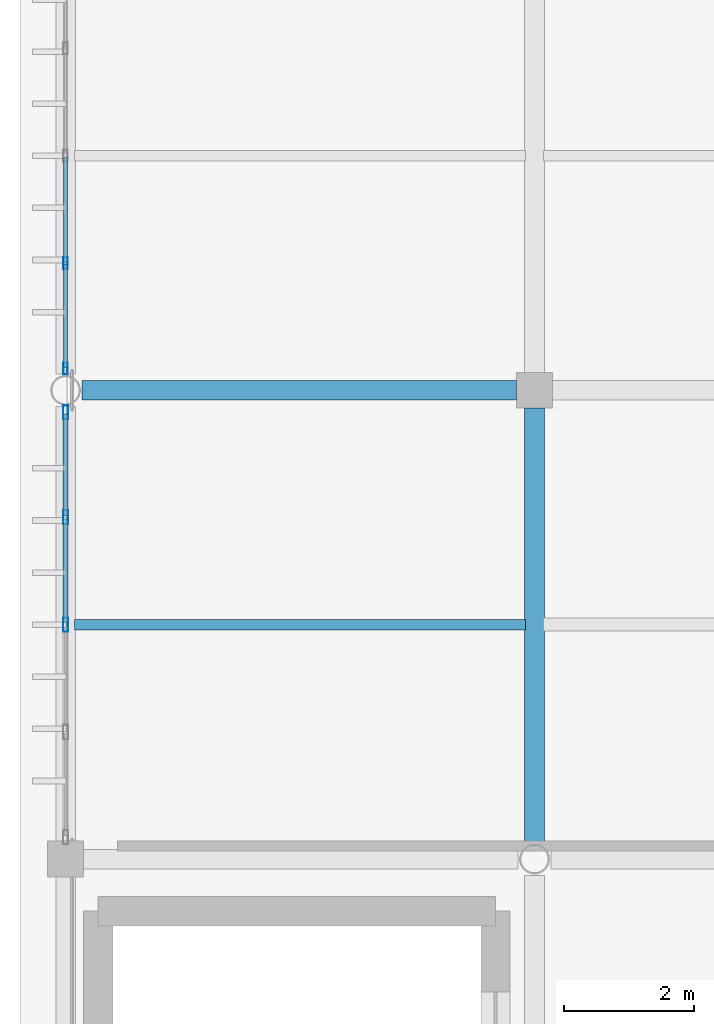
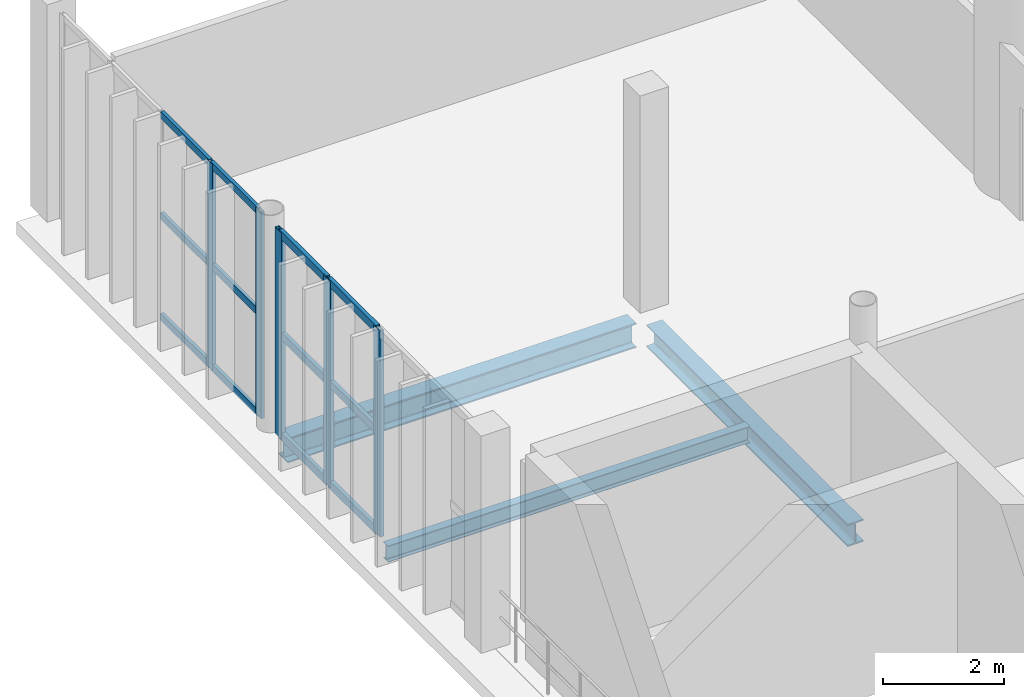
# One storey, part 38 of 81: 17 members, 3 beams, 2 elements without a shape of their own.
"""IFC4 building model written with IfcOpenShell, lengths in metres."""

from ifc_helpers import new_model, si_unit, direction, frame, origin, origin_2d, place, context, subcontext, project, spatial, hollow_rectangle, i_section, extrude, material, material_profile, profile_set, type_object, element, aggregate, save


model = new_model("IFC4")

# Units and contexts
model_context = context("Model", 3, precision=1e-05, world=origin(), true_north=direction((0.0, 1.0)))
body_context = subcontext(model_context, "Body", "Model", "MODEL_VIEW")
ifc_project = project(units=[si_unit("LENGTHUNIT", "METRE"), si_unit("AREAUNIT", "SQUARE_METRE"), si_unit("VOLUMEUNIT", "CUBIC_METRE"), si_unit("PLANEANGLEUNIT", "RADIAN"), si_unit("MASSUNIT", "GRAM", prefix="KILO")], contexts=[model_context])

# Site, building, storey
site_placement = place(None, origin())
site = spatial("IfcSite", under=ifc_project, at=site_placement, CompositionType="ELEMENT")
building_placement = place(site_placement, origin())
building = spatial("IfcBuilding", under=site, at=building_placement, Name="Qandorah Velis Arena", CompositionType="ELEMENT")
storey_placement = place(building_placement, frame((0.0, 0.0, 18.60009765625)))
storey = spatial("IfcBuildingStorey", under=building, at=storey_placement, Name="L04", CompositionType="ELEMENT", Elevation=18.60009765625)

# Curtain wall, members
ifc_material_1 = material(Name="Solar-control low-E double glazing", Category="glass")
curtain_wall_type_1 = type_object("IfcCurtainWallType", Name="ARC-CW-SYS14", PredefinedType="USERDEFINED", material=ifc_material_1)
curtain_wall_1_placement = place(storey_placement, origin())
curtain_wall_1 = element("IfcCurtainWall", 1, at=curtain_wall_1_placement, inside=storey, type_object=curtain_wall_type_1, Name="Unitised curtain wall L04-038", ObjectType="UNITISED CURTAIN WALL", PredefinedType="USERDEFINED")
ifc_material_2 = material(Name="Champagne-bronze anodized aluminium 6063-T6", Category="aluminium")
ifc_material_profile_1 = material_profile(ifc_material_2, hollow_rectangle(XDim=0.06494140625, YDim=0.179931640625, WallThickness=0.00341796875, at=origin_2d()), Name="ALU MULLION 65x180")
ifc_profile_set_1 = profile_set([ifc_material_profile_1], Name="Champagne-bronze anodized aluminium 6063-T6")
member_type_1 = type_object("IfcMemberType", Name="ARC-CWM-180", PredefinedType="MULLION", material=ifc_profile_set_1)
member_1_placement = place(storey_placement, frame((0.0, 101.132568359375, -0.01513671875), z_axis=(0.0, 0.0, 1.0), x_axis=(-1.0, 0.0, 0.0)))
member_1 = element("IfcMember", 2, at=member_1_placement, type_object=member_type_1, Name="CW14 mullion 1", PredefinedType="MULLION", context=body_context, shape_type="SweptSolid", body=[
    extrude(hollow_rectangle(XDim=0.06494140625, YDim=0.179931640625, WallThickness=0.00341796875, at=origin_2d()), origin(), (0.0, 0.0, 1.0), 4.179931640625),
])
member_2_placement = place(storey_placement, frame((0.0, 102.75, -0.01513671875), z_axis=(0.0, 0.0, 1.0), x_axis=(-1.0, 0.0, 0.0)))
member_2 = element("IfcMember", 3, at=member_2_placement, type_object=member_type_1, Name="CW14 mullion 2", PredefinedType="MULLION", context=body_context, shape_type="SweptSolid", body=[
    extrude(hollow_rectangle(XDim=0.06494140625, YDim=0.179931640625, WallThickness=0.00341796875, at=origin_2d()), origin(), (0.0, 0.0, 1.0), 4.179931640625),
])

curtain_wall_type_2 = type_object("IfcCurtainWallType", Name="ARC-CW-SYS13", PredefinedType="USERDEFINED", material=ifc_material_1)
curtain_wall_2_placement = place(storey_placement, origin())
curtain_wall_2 = element("IfcCurtainWall", 4, at=curtain_wall_2_placement, inside=storey, type_object=curtain_wall_type_2, Name="Unitised curtain wall L04-037", ObjectType="UNITISED CURTAIN WALL", PredefinedType="USERDEFINED")
ifc_material_profile_2 = material_profile(ifc_material_2, hollow_rectangle(XDim=0.074951171875, YDim=0.219970703125, WallThickness=0.00390625, at=origin_2d()), Name="ALU MULLION 75x220")
ifc_profile_set_2 = profile_set([ifc_material_profile_2], Name="Champagne-bronze anodized aluminium 6063-T6")
member_type_2 = type_object("IfcMemberType", Name="ARC-CWM-220", PredefinedType="MULLION", material=ifc_profile_set_2)
member_3_placement = place(storey_placement, frame((0.0, 97.199951171875, -0.01513671875), z_axis=(0.0, 0.0, 1.0), x_axis=(-1.0, 0.0, 0.0)))
member_3 = element("IfcMember", 5, at=member_3_placement, type_object=member_type_2, Name="CW13 mullion 3", PredefinedType="MULLION", context=body_context, shape_type="SweptSolid", body=[
    extrude(hollow_rectangle(XDim=0.074951171875, YDim=0.219970703125, WallThickness=0.00390625, at=origin_2d()), origin(), (0.0, 0.0, 1.0), 4.179931640625),
])
member_4_placement = place(storey_placement, frame((0.0, 98.85009765625, -0.01513671875), z_axis=(0.0, 0.0, 1.0), x_axis=(-1.0, 0.0, 0.0)))
member_4 = element("IfcMember", 6, at=member_4_placement, type_object=member_type_2, Name="CW13 mullion 4", PredefinedType="MULLION", context=body_context, shape_type="SweptSolid", body=[
    extrude(hollow_rectangle(XDim=0.074951171875, YDim=0.219970703125, WallThickness=0.00390625, at=origin_2d()), origin(), (0.0, 0.0, 1.0), 4.179931640625),
])
member_5_placement = place(storey_placement, frame((0.0, 100.46240234375, -0.01513671875), z_axis=(0.0, 0.0, 1.0), x_axis=(-1.0, 0.0, 0.0)))
member_5 = element("IfcMember", 7, at=member_5_placement, type_object=member_type_2, Name="CW13 mullion 5", PredefinedType="MULLION", context=body_context, shape_type="SweptSolid", body=[
    extrude(hollow_rectangle(XDim=0.074951171875, YDim=0.219970703125, WallThickness=0.00390625, at=origin_2d()), origin(), (0.0, 0.0, 1.0), 4.179931640625),
])

# Member
ifc_material_profile_3 = material_profile(ifc_material_2, hollow_rectangle(XDim=0.06494140625, YDim=0.139892578125, WallThickness=0.0029296875, at=origin_2d()), Name="ALU TRANSOM 65x140")
ifc_profile_set_3 = profile_set([ifc_material_profile_3], Name="Champagne-bronze anodized aluminium 6063-T6")
member_type_3 = type_object("IfcMemberType", Name="ARC-CWT-140", PredefinedType="USERDEFINED", material=ifc_profile_set_3)
member_6_placement = place(storey_placement, frame((0.0, 101.153076171875, 0.032470703125), z_axis=(0.0, 1.0, 0.0), x_axis=(-1.0, 0.0, 0.0)))
member_6 = element("IfcMember", 8, at=member_6_placement, type_object=member_type_3, Name="CW14 transom 1.1", ObjectType="TRANSOM", PredefinedType="USERDEFINED", context=body_context, shape_type="SweptSolid", body=[
    extrude(hollow_rectangle(XDim=0.06494140625, YDim=0.139892578125, WallThickness=0.0029296875, at=origin_2d()), origin(), (0.0, 0.0, 1.0), 1.576416015625),
])

member_7_placement = place(storey_placement, frame((0.0, 101.153076171875, 2.074951171875), z_axis=(0.0, 1.0, 0.0), x_axis=(-1.0, 0.0, 0.0)))
member_7 = element("IfcMember", 9, at=member_7_placement, type_object=member_type_3, Name="CW14 transom 1.2", ObjectType="TRANSOM", PredefinedType="USERDEFINED", context=body_context, shape_type="SweptSolid", body=[
    extrude(hollow_rectangle(XDim=0.06494140625, YDim=0.139892578125, WallThickness=0.0029296875, at=origin_2d()), origin(), (0.0, 0.0, 1.0), 1.576416015625),
])

member_8_placement = place(storey_placement, frame((0.0, 101.153076171875, 4.117431640625), z_axis=(0.0, 1.0, 0.0), x_axis=(-1.0, 0.0, 0.0)))
member_8 = element("IfcMember", 10, at=member_8_placement, type_object=member_type_3, Name="CW14 transom 1.3", ObjectType="TRANSOM", PredefinedType="USERDEFINED", context=body_context, shape_type="SweptSolid", body=[
    extrude(hollow_rectangle(XDim=0.06494140625, YDim=0.139892578125, WallThickness=0.0029296875, at=origin_2d()), origin(), (0.0, 0.0, 1.0), 1.576416015625),
])

member_9_placement = place(storey_placement, frame((0.0, 102.7705078125, 0.032470703125), z_axis=(0.0, 1.0, 0.0), x_axis=(-1.0, 0.0, 0.0)))
member_9 = element("IfcMember", 11, at=member_9_placement, type_object=member_type_3, Name="CW14 transom 2.1", ObjectType="TRANSOM", PredefinedType="USERDEFINED", context=body_context, shape_type="SweptSolid", body=[
    extrude(hollow_rectangle(XDim=0.06494140625, YDim=0.139892578125, WallThickness=0.0029296875, at=origin_2d()), origin(), (0.0, 0.0, 1.0), 1.60888671875),
])

member_10_placement = place(storey_placement, frame((0.0, 102.7705078125, 2.074951171875), z_axis=(0.0, 1.0, 0.0), x_axis=(-1.0, 0.0, 0.0)))
member_10 = element("IfcMember", 12, at=member_10_placement, type_object=member_type_3, Name="CW14 transom 2.2", ObjectType="TRANSOM", PredefinedType="USERDEFINED", context=body_context, shape_type="SweptSolid", body=[
    extrude(hollow_rectangle(XDim=0.06494140625, YDim=0.139892578125, WallThickness=0.0029296875, at=origin_2d()), origin(), (0.0, 0.0, 1.0), 1.60888671875),
])

member_11_placement = place(storey_placement, frame((0.0, 102.7705078125, 4.117431640625), z_axis=(0.0, 1.0, 0.0), x_axis=(-1.0, 0.0, 0.0)))
member_11 = element("IfcMember", 13, at=member_11_placement, type_object=member_type_3, Name="CW14 transom 2.3", ObjectType="TRANSOM", PredefinedType="USERDEFINED", context=body_context, shape_type="SweptSolid", body=[
    extrude(hollow_rectangle(XDim=0.06494140625, YDim=0.139892578125, WallThickness=0.0029296875, at=origin_2d()), origin(), (0.0, 0.0, 1.0), 1.60888671875),
])

aggregate(curtain_wall_1, [member_1, member_2, member_6, member_7, member_8, member_9, member_10, member_11])

ifc_material_profile_4 = material_profile(ifc_material_2, hollow_rectangle(XDim=0.074951171875, YDim=0.159912109375, WallThickness=0.00341796875, at=origin_2d()), Name="ALU TRANSOM 75x160")
ifc_profile_set_4 = profile_set([ifc_material_profile_4], Name="Champagne-bronze anodized aluminium 6063-T6")
member_type_4 = type_object("IfcMemberType", Name="ARC-CWT-160", PredefinedType="USERDEFINED", material=ifc_profile_set_4)
member_12_placement = place(storey_placement, frame((0.0, 97.2255859375, 0.037353515625), z_axis=(0.0, 1.0, 0.0), x_axis=(-1.0, 0.0, 0.0)))
member_12 = element("IfcMember", 14, at=member_12_placement, type_object=member_type_4, Name="CW13 transom 3.1", ObjectType="TRANSOM", PredefinedType="USERDEFINED", context=body_context, shape_type="SweptSolid", body=[
    extrude(hollow_rectangle(XDim=0.074951171875, YDim=0.159912109375, WallThickness=0.00341796875, at=origin_2d()), origin(), (0.0, 0.0, 1.0), 1.598876953125),
])

member_13_placement = place(storey_placement, frame((0.0, 97.2255859375, 2.074951171875), z_axis=(0.0, 1.0, 0.0), x_axis=(-1.0, 0.0, 0.0)))
member_13 = element("IfcMember", 15, at=member_13_placement, type_object=member_type_4, Name="CW13 transom 3.2", ObjectType="TRANSOM", PredefinedType="USERDEFINED", context=body_context, shape_type="SweptSolid", body=[
    extrude(hollow_rectangle(XDim=0.074951171875, YDim=0.159912109375, WallThickness=0.00341796875, at=origin_2d()), origin(), (0.0, 0.0, 1.0), 1.598876953125),
])

member_14_placement = place(storey_placement, frame((0.0, 97.2255859375, 4.1123046875), z_axis=(0.0, 1.0, 0.0), x_axis=(-1.0, 0.0, 0.0)))
member_14 = element("IfcMember", 16, at=member_14_placement, type_object=member_type_4, Name="CW13 transom 3.3", ObjectType="TRANSOM", PredefinedType="USERDEFINED", context=body_context, shape_type="SweptSolid", body=[
    extrude(hollow_rectangle(XDim=0.074951171875, YDim=0.159912109375, WallThickness=0.00341796875, at=origin_2d()), origin(), (0.0, 0.0, 1.0), 1.598876953125),
])

member_15_placement = place(storey_placement, frame((0.0, 98.87548828125, 0.037353515625), z_axis=(0.0, 1.0, 0.0), x_axis=(-1.0, 0.0, 0.0)))
member_15 = element("IfcMember", 17, at=member_15_placement, type_object=member_type_4, Name="CW13 transom 4.1", ObjectType="TRANSOM", PredefinedType="USERDEFINED", context=body_context, shape_type="SweptSolid", body=[
    extrude(hollow_rectangle(XDim=0.074951171875, YDim=0.159912109375, WallThickness=0.00341796875, at=origin_2d()), origin(), (0.0, 0.0, 1.0), 1.5615234375),
])

member_16_placement = place(storey_placement, frame((0.0, 98.87548828125, 2.074951171875), z_axis=(0.0, 1.0, 0.0), x_axis=(-1.0, 0.0, 0.0)))
member_16 = element("IfcMember", 18, at=member_16_placement, type_object=member_type_4, Name="CW13 transom 4.2", ObjectType="TRANSOM", PredefinedType="USERDEFINED", context=body_context, shape_type="SweptSolid", body=[
    extrude(hollow_rectangle(XDim=0.074951171875, YDim=0.159912109375, WallThickness=0.00341796875, at=origin_2d()), origin(), (0.0, 0.0, 1.0), 1.5615234375),
])

member_17_placement = place(storey_placement, frame((0.0, 98.87548828125, 4.1123046875), z_axis=(0.0, 1.0, 0.0), x_axis=(-1.0, 0.0, 0.0)))
member_17 = element("IfcMember", 19, at=member_17_placement, type_object=member_type_4, Name="CW13 transom 4.3", ObjectType="TRANSOM", PredefinedType="USERDEFINED", context=body_context, shape_type="SweptSolid", body=[
    extrude(hollow_rectangle(XDim=0.074951171875, YDim=0.159912109375, WallThickness=0.00341796875, at=origin_2d()), origin(), (0.0, 0.0, 1.0), 1.5615234375),
])

aggregate(curtain_wall_2, [member_3, member_4, member_5, member_12, member_13, member_14, member_15, member_16, member_17])

# Beams
ifc_material_3 = material(Name="Steel S355", Category="steel")
ifc_material_profile_5 = material_profile(ifc_material_3, i_section(OverallWidth=0.300048828125, OverallDepth=0.449951171875, WebThickness=0.013916015625, FlangeThickness=0.02587890625, FilletRadius=0.027099609375, at=origin_2d()), Name="HEB 450")
ifc_profile_set_5 = profile_set([ifc_material_profile_5], Name="Steel S355")
beam_type_1 = type_object("IfcBeamType", Name="STR-BM-HEB450", PredefinedType="BEAM", material=ifc_profile_set_5)
beam_1_placement = place(storey_placement, frame((7.199951171875, 93.85009765625, -0.4951171875), z_axis=(0.0, 1.0, 0.0), x_axis=(-1.0, 0.0, 0.0)))
element("IfcBeam", 20, at=beam_1_placement, inside=storey, type_object=beam_type_1, Name="Primary floor girder L04 Y-168", PredefinedType="BEAM", context=body_context, shape_type="SweptSolid", body=[
    extrude(i_section(OverallWidth=0.300048828125, OverallDepth=0.449951171875, WebThickness=0.013916015625, FlangeThickness=0.02587890625, FilletRadius=0.027099609375, at=origin_2d()), origin(), (0.0, 0.0, 1.0), 6.6748046875),
])
ifc_material_profile_6 = material_profile(ifc_material_3, i_section(OverallWidth=0.300048828125, OverallDepth=0.5, WebThickness=0.014404296875, FlangeThickness=0.028076171875, FilletRadius=0.027099609375, at=origin_2d()), Name="HEB 500")
ifc_profile_set_6 = profile_set([ifc_material_profile_6], Name="Steel S355")
beam_type_2 = type_object("IfcBeamType", Name="STR-BM-HEB500", PredefinedType="BEAM", material=ifc_profile_set_6)
beam_2_placement = place(storey_placement, frame((0.25, 100.800048828125, -0.52001953125), z_axis=(1.0, 0.0, 0.0), x_axis=(0.0, 1.0, 0.0)))
element("IfcBeam", 21, at=beam_2_placement, inside=storey, type_object=beam_type_2, Name="Primary floor girder L04 X-095", PredefinedType="BEAM", context=body_context, shape_type="SweptSolid", body=[
    extrude(i_section(OverallWidth=0.300048828125, OverallDepth=0.5, WebThickness=0.014404296875, FlangeThickness=0.028076171875, FilletRadius=0.027099609375, at=origin_2d()), origin(), (0.0, 0.0, 1.0), 6.675048828125),
])
ifc_material_profile_7 = material_profile(ifc_material_3, i_section(OverallWidth=0.159912109375, OverallDepth=0.330078125, WebThickness=0.007568359375, FlangeThickness=0.011474609375, FilletRadius=0.01806640625, at=origin_2d()), Name="IPE 330")
ifc_profile_set_7 = profile_set([ifc_material_profile_7], Name="Steel S355")
beam_type_3 = type_object("IfcBeamType", Name="STR-JST-IPE330", PredefinedType="JOIST", material=ifc_profile_set_7)
beam_3_placement = place(storey_placement, frame((0.135009765625, 97.199951171875, -0.43505859375), z_axis=(1.0, 0.0, 0.0), x_axis=(0.0, 1.0, 0.0)))
element("IfcBeam", 22, at=beam_3_placement, inside=storey, type_object=beam_type_3, Name="Secondary floor joist L04-007", PredefinedType="JOIST", context=body_context, shape_type="SweptSolid", body=[
    extrude(i_section(OverallWidth=0.159912109375, OverallDepth=0.330078125, WebThickness=0.007568359375, FlangeThickness=0.011474609375, FilletRadius=0.01806640625, at=origin_2d()), origin(), (0.0, 0.0, 1.0), 6.929931640625),
])

save(model, "model.ifc")
